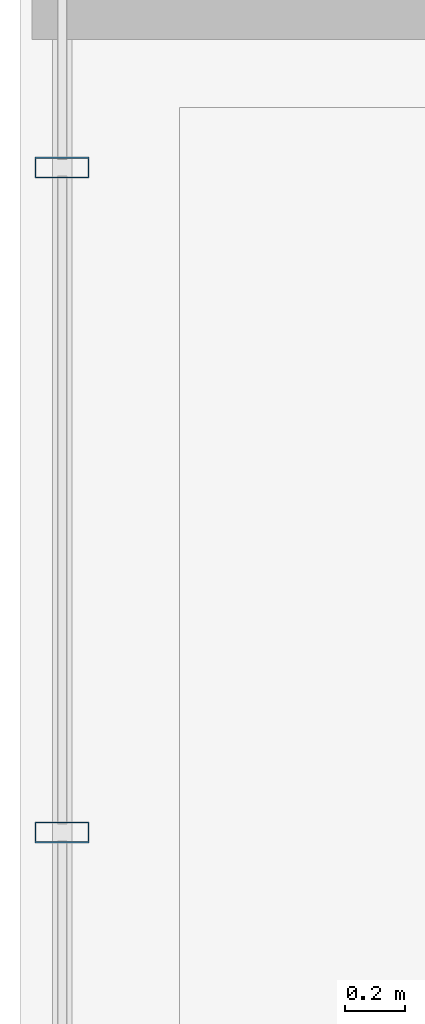
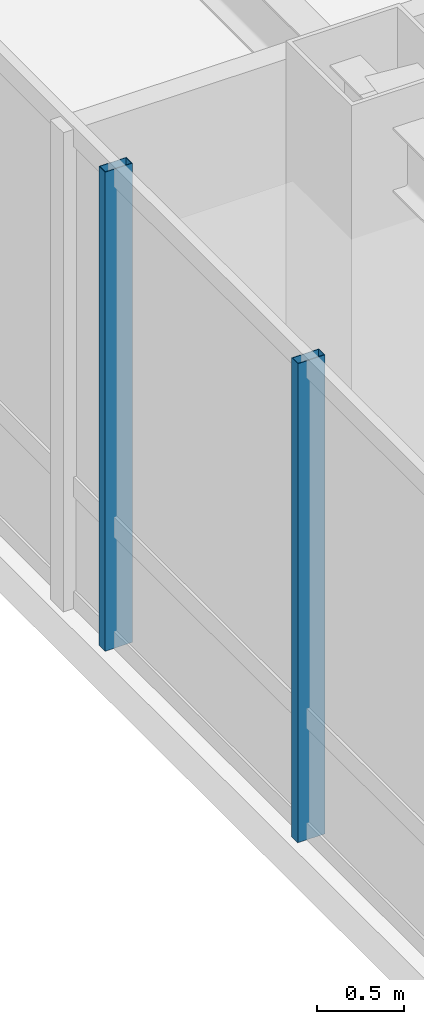
# One storey, part 6 of 27: 2 members, 1 element without a shape of its own.
"""IFC4 building model written with IfcOpenShell, lengths in metres."""

from ifc_helpers import new_model, si_unit, direction, frame, origin, origin_2d, place, context, subcontext, project, spatial, hollow_rectangle, extrude, material, layer, layer_set, material_profile, profile_set, type_object, element, aggregate, save


model = new_model("IFC4")

# Units and contexts
model_context = context("Model", 3, precision=1e-05, world=origin(), true_north=direction((0.0, 1.0)))
body_context = subcontext(model_context, "Body", "Model", "MODEL_VIEW")
ifc_project = project(units=[si_unit("LENGTHUNIT", "METRE"), si_unit("AREAUNIT", "SQUARE_METRE"), si_unit("VOLUMEUNIT", "CUBIC_METRE"), si_unit("PLANEANGLEUNIT", "RADIAN"), si_unit("MASSUNIT", "GRAM", prefix="KILO")], contexts=[model_context])

# Site, building, storey
site_placement = place(None, origin())
site = spatial("IfcSite", under=ifc_project, at=site_placement, CompositionType="ELEMENT")
building_placement = place(site_placement, origin())
building = spatial("IfcBuilding", under=site, at=building_placement, Name="Hatsunagi Terrace Concourse", CompositionType="ELEMENT")
storey_placement = place(building_placement, frame((0.0, 0.0, 163.64990234375)))
storey = spatial("IfcBuildingStorey", under=building, at=storey_placement, Name="L43", CompositionType="ELEMENT", Elevation=163.64990234375)

# Curtain wall, members
ifc_material_1 = material(Name="Anodised Aluminium Alloy 6063-T5", Category="aluminium")
ifc_layer = layer(ifc_material_1, 0.199951171875)
ifc_layer_set = layer_set([ifc_layer], Name="OfficeZone1_CW03")
curtain_wall_type = type_object("IfcCurtainWallType", Name="OfficeZone1_CW03", PredefinedType="NOTDEFINED", material=ifc_layer_set)
curtain_wall_placement = place(storey_placement, origin())
curtain_wall = element("IfcCurtainWall", 1, at=curtain_wall_placement, inside=storey, type_object=curtain_wall_type, Name="Unitised Curtain Wall CW-03 CW-L43-09", PredefinedType="NOTDEFINED")
ifc_material_2 = material(Name="Anodised Aluminium Alloy 6063-T5", Category="aluminium")
ifc_material_profile = material_profile(ifc_material_2, hollow_rectangle(XDim=0.070068359375, YDim=0.179931640625, WallThickness=0.00390625, at=origin_2d()), Name="ALU-MUL-180x70x4")
ifc_profile_set = profile_set([ifc_material_profile], Name="Anodised Aluminium Alloy 6063-T5")
member_type = type_object("IfcMemberType", Name="CurtainWallMullion_180x70", PredefinedType="MULLION", material=ifc_profile_set)
member_1_placement = place(storey_placement, frame((9.739990234375, 34.69189453125, 0.0), z_axis=(0.0, 0.0, 1.0), x_axis=(0.0, 1.0, 0.0)))
member_1 = element("IfcMember", 2, at=member_1_placement, type_object=member_type, Name="Curtain Wall Mullion MUL-02", PredefinedType="MULLION", context=body_context, shape_type="SweptSolid", body=[
    extrude(hollow_rectangle(XDim=0.070068359375, YDim=0.179931640625, WallThickness=0.00390625, at=origin_2d()), origin(), (0.0, 0.0, 1.0), 3.35009765625),
])
member_2_placement = place(storey_placement, frame((9.739990234375, 36.89990234375, 0.0), z_axis=(0.0, 0.0, 1.0), x_axis=(0.0, 1.0, 0.0)))
member_2 = element("IfcMember", 3, at=member_2_placement, type_object=member_type, Name="Curtain Wall Mullion MUL-02", PredefinedType="MULLION", context=body_context, shape_type="SweptSolid", body=[
    extrude(hollow_rectangle(XDim=0.070068359375, YDim=0.179931640625, WallThickness=0.00390625, at=origin_2d()), origin(), (0.0, 0.0, 1.0), 3.35009765625),
])
aggregate(curtain_wall, [member_1, member_2])

save(model, "model.ifc")
